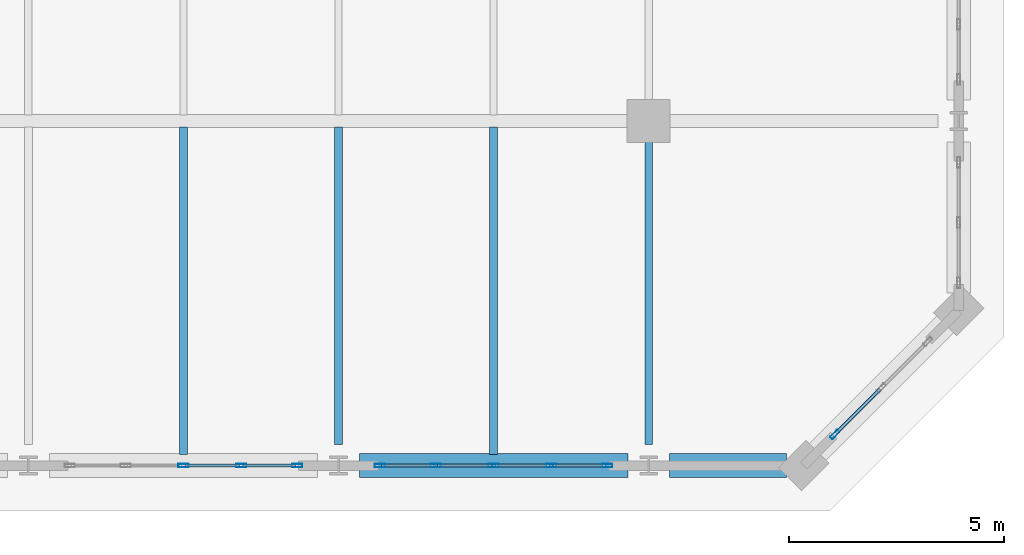
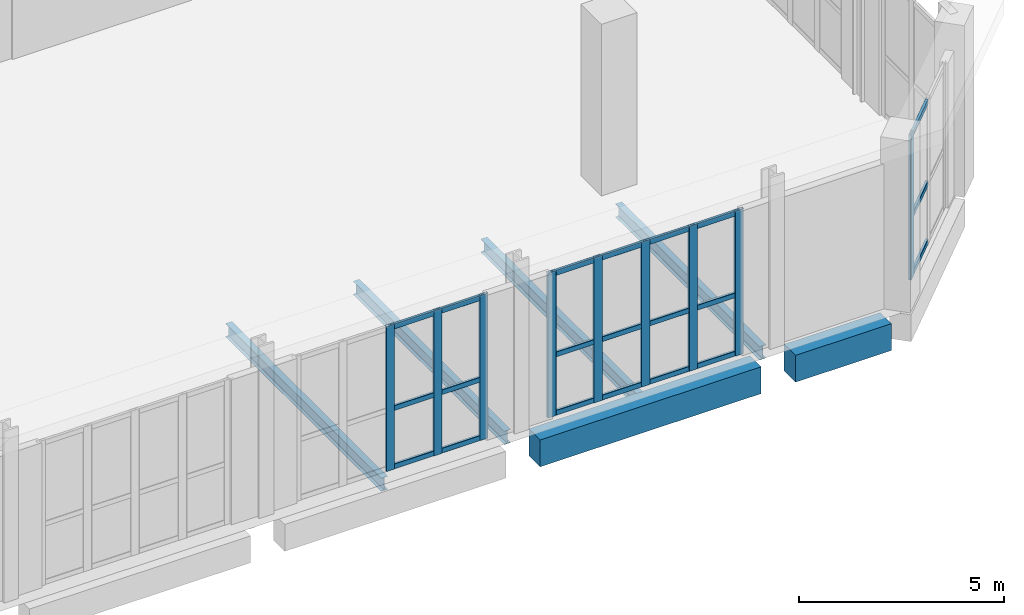
# One storey, part 10 of 26: 30 members, 6 beams, 3 elements without a shape of their own.
"""IFC4 building model written with IfcOpenShell, lengths in metres."""

from ifc_helpers import new_model, si_unit, direction, frame, origin, origin_2d, place, context, subcontext, project, spatial, rectangle, hollow_rectangle, i_section, extrude, material, layer, layer_set, material_profile, profile_set, type_object, element, aggregate, save


model = new_model("IFC4")

# Units and contexts
model_context = context("Model", 3, precision=1e-05, world=origin(), true_north=direction((0.0, 1.0)))
body_context = subcontext(model_context, "Body", "Model", "MODEL_VIEW")
ifc_project = project(units=[si_unit("LENGTHUNIT", "METRE"), si_unit("AREAUNIT", "SQUARE_METRE"), si_unit("VOLUMEUNIT", "CUBIC_METRE"), si_unit("PLANEANGLEUNIT", "RADIAN"), si_unit("MASSUNIT", "GRAM", prefix="KILO")], contexts=[model_context])

# Site, building, storey
site_placement = place(None, origin())
site = spatial("IfcSite", under=ifc_project, at=site_placement, CompositionType="ELEMENT")
building_placement = place(site_placement, origin())
building = spatial("IfcBuilding", under=site, at=building_placement, Name="Kaelvorn Grand Hotel", CompositionType="ELEMENT")
storey_placement = place(building_placement, frame((0.0, 0.0, 294.699951171875)))
storey = spatial("IfcBuildingStorey", under=building, at=storey_placement, Name="L72", CompositionType="ELEMENT", Elevation=294.699951171875)

# Beams
ifc_material_1 = material(Name="Steel S355", Category="steel")
ifc_material_profile_1 = material_profile(ifc_material_1, i_section(OverallWidth=0.179931640625, OverallDepth=0.39990234375, WebThickness=0.008544921875, FlangeThickness=0.013427734375, FilletRadius=0.02099609375, at=origin_2d()), Name="IPE 400")
ifc_profile_set_1 = profile_set([ifc_material_profile_1], Name="Steel S355")
beam_type_1 = type_object("IfcBeamType", Name="BM-J-IPE400-S355", PredefinedType="JOIST", material=ifc_profile_set_1)
beam_1_placement = place(storey_placement, frame((57.0, 7.260009765625, -0.579833984375), z_axis=(0.0, 1.0, 0.0), x_axis=(-1.0, 0.0, 0.0)))
element("IfcBeam", 1, at=beam_1_placement, inside=storey, type_object=beam_type_1, Name="L72 Composite Floor Joist JS-16", PredefinedType="JOIST", context=body_context, shape_type="SweptSolid", body=[
    extrude(i_section(OverallWidth=0.179931640625, OverallDepth=0.39990234375, WebThickness=0.008544921875, FlangeThickness=0.013427734375, FilletRadius=0.02099609375, at=origin_2d()), origin(), (0.0, 0.0, 1.0), 7.60400390625),
])
beam_2_placement = place(storey_placement, frame((60.60009765625, 7.485107421875, -0.579833984375), z_axis=(0.0, 1.0, 0.0), x_axis=(-1.0, 0.0, 0.0)))
element("IfcBeam", 2, at=beam_2_placement, inside=storey, type_object=beam_type_1, Name="L72 Composite Floor Joist JS-17", PredefinedType="JOIST", context=body_context, shape_type="SweptSolid", body=[
    extrude(i_section(OverallWidth=0.179931640625, OverallDepth=0.39990234375, WebThickness=0.008544921875, FlangeThickness=0.013427734375, FilletRadius=0.02099609375, at=origin_2d()), origin(), (0.0, 0.0, 1.0), 7.37890625),
])
beam_3_placement = place(storey_placement, frame((64.199951171875, 7.260009765625, -0.579833984375), z_axis=(0.0, 1.0, 0.0), x_axis=(-1.0, 0.0, 0.0)))
element("IfcBeam", 3, at=beam_3_placement, inside=storey, type_object=beam_type_1, Name="L72 Composite Floor Joist JS-18", PredefinedType="JOIST", context=body_context, shape_type="SweptSolid", body=[
    extrude(i_section(OverallWidth=0.179931640625, OverallDepth=0.39990234375, WebThickness=0.008544921875, FlangeThickness=0.013427734375, FilletRadius=0.02099609375, at=origin_2d()), origin(), (0.0, 0.0, 1.0), 7.60400390625),
])
beam_4_placement = place(storey_placement, frame((67.800048828125, 7.485107421875, -0.579833984375), z_axis=(0.0, 1.0, 0.0), x_axis=(-1.0, 0.0, 0.0)))
element("IfcBeam", 4, at=beam_4_placement, inside=storey, type_object=beam_type_1, Name="L72 Composite Floor Joist JS-19", PredefinedType="JOIST", context=body_context, shape_type="SweptSolid", body=[
    extrude(i_section(OverallWidth=0.179931640625, OverallDepth=0.39990234375, WebThickness=0.008544921875, FlangeThickness=0.013427734375, FilletRadius=0.02099609375, at=origin_2d()), origin(), (0.0, 0.0, 1.0), 7.02978515625),
])
ifc_material_2 = material(Name="Concrete C50/60", Category="concrete")
ifc_material_profile_2 = material_profile(ifc_material_2, rectangle(XDim=0.550048828125, YDim=0.800048828125, at=origin_2d()), Name="RC SPANDREL 550x800")
ifc_profile_set_2 = profile_set([ifc_material_profile_2], Name="Concrete C50/60")
beam_type_2 = type_object("IfcBeamType", Name="BM-SP-550x800-C50", PredefinedType="SPANDREL", material=ifc_profile_set_2)
beam_5_placement = place(storey_placement, frame((61.0849609375, 7.0, -0.780029296875), z_axis=(1.0, 0.0, 0.0), x_axis=(0.0, 1.0, 0.0)))
element("IfcBeam", 5, at=beam_5_placement, inside=storey, type_object=beam_type_2, Name="L72 South Perimeter Spandrel 08", PredefinedType="SPANDREL", context=body_context, shape_type="SweptSolid", body=[
    extrude(rectangle(XDim=0.550048828125, YDim=0.800048828125, at=origin_2d()), origin(), (0.0, 0.0, 1.0), 6.22998046875),
])
beam_6_placement = place(storey_placement, frame((68.284912109375, 7.0, -0.780029296875), z_axis=(1.0, 0.0, 0.0), x_axis=(0.0, 1.0, 0.0)))
element("IfcBeam", 6, at=beam_6_placement, inside=storey, type_object=beam_type_2, Name="L72 South Perimeter Spandrel 09", PredefinedType="SPANDREL", context=body_context, shape_type="SweptSolid", body=[
    extrude(rectangle(XDim=0.550048828125, YDim=0.800048828125, at=origin_2d()), origin(), (0.0, 0.0, 1.0), 2.710205078125),
])

# Curtain wall, members
ifc_material_3 = material(Name="Anodised Aluminium", Category="aluminium")
ifc_layer = layer(ifc_material_3, 0.239990234375)
ifc_layer_set = layer_set([ifc_layer], Name="Anodised Aluminium")
curtain_wall_type = type_object("IfcCurtainWallType", Name="CW-SYS5", PredefinedType="NOTDEFINED", material=ifc_layer_set)
curtain_wall_1_placement = place(storey_placement, origin())
curtain_wall_1 = element("IfcCurtainWall", 7, at=curtain_wall_1_placement, inside=storey, type_object=curtain_wall_type, Name="L72 Unitised Curtain Wall CW5 (CW-L72-S-06)", PredefinedType="NOTDEFINED")
ifc_material_profile_3 = material_profile(ifc_material_3, hollow_rectangle(XDim=0.080078125, YDim=0.239990234375, WallThickness=0.0048828125, InnerFilletRadius=0.0048828125, OuterFilletRadius=0.010009765625, at=origin_2d()), Name="ALU MULL 80x240")
ifc_profile_set_3 = profile_set([ifc_material_profile_3], Name="Anodised Aluminium")
member_type_1 = type_object("IfcMemberType", Name="CW-SYS5-MULL", PredefinedType="MULLION", material=ifc_profile_set_3)
member_1_placement = place(storey_placement, frame((57.0, 7.0, 0.0), z_axis=(0.0, 0.0, 1.0), x_axis=(0.0, 1.0, 0.0)))
member_1 = element("IfcMember", 8, at=member_1_placement, type_object=member_type_1, Name="CW5 mullion 3", PredefinedType="MULLION", context=body_context, shape_type="SweptSolid", body=[
    extrude(hollow_rectangle(XDim=0.080078125, YDim=0.239990234375, WallThickness=0.0048828125, InnerFilletRadius=0.0048828125, OuterFilletRadius=0.010009765625, at=origin_2d()), origin(), (0.0, 0.0, 1.0), 4.320068359375),
])
member_2_placement = place(storey_placement, frame((58.340087890625, 7.0, 0.0), z_axis=(0.0, 0.0, 1.0), x_axis=(0.0, 1.0, 0.0)))
member_2 = element("IfcMember", 9, at=member_2_placement, type_object=member_type_1, Name="CW5 mullion 4", PredefinedType="MULLION", context=body_context, shape_type="SweptSolid", body=[
    extrude(hollow_rectangle(XDim=0.080078125, YDim=0.239990234375, WallThickness=0.0048828125, InnerFilletRadius=0.0048828125, OuterFilletRadius=0.010009765625, at=origin_2d()), origin(), (0.0, 0.0, 1.0), 4.320068359375),
])
member_3_placement = place(storey_placement, frame((59.639892578125, 7.0, 0.0), z_axis=(0.0, 0.0, 1.0), x_axis=(0.0, 1.0, 0.0)))
member_3 = element("IfcMember", 10, at=member_3_placement, type_object=member_type_1, Name="CW5 mullion 5", PredefinedType="MULLION", context=body_context, shape_type="SweptSolid", body=[
    extrude(hollow_rectangle(XDim=0.080078125, YDim=0.239990234375, WallThickness=0.0048828125, InnerFilletRadius=0.0048828125, OuterFilletRadius=0.010009765625, at=origin_2d()), origin(), (0.0, 0.0, 1.0), 4.320068359375),
])

curtain_wall_2_placement = place(storey_placement, origin())
curtain_wall_2 = element("IfcCurtainWall", 11, at=curtain_wall_2_placement, inside=storey, type_object=curtain_wall_type, Name="L72 Unitised Curtain Wall CW5 (CW-L72-S-07)", PredefinedType="NOTDEFINED")
member_4_placement = place(storey_placement, frame((61.56005859375, 7.0, 0.0), z_axis=(0.0, 0.0, 1.0), x_axis=(0.0, 1.0, 0.0)))
member_4 = element("IfcMember", 12, at=member_4_placement, type_object=member_type_1, Name="CW5 mullion 1", PredefinedType="MULLION", context=body_context, shape_type="SweptSolid", body=[
    extrude(hollow_rectangle(XDim=0.080078125, YDim=0.239990234375, WallThickness=0.0048828125, InnerFilletRadius=0.0048828125, OuterFilletRadius=0.010009765625, at=origin_2d()), origin(), (0.0, 0.0, 1.0), 4.320068359375),
])
member_5_placement = place(storey_placement, frame((62.860107421875, 7.0, 0.0), z_axis=(0.0, 0.0, 1.0), x_axis=(0.0, 1.0, 0.0)))
member_5 = element("IfcMember", 13, at=member_5_placement, type_object=member_type_1, Name="CW5 mullion 2", PredefinedType="MULLION", context=body_context, shape_type="SweptSolid", body=[
    extrude(hollow_rectangle(XDim=0.080078125, YDim=0.239990234375, WallThickness=0.0048828125, InnerFilletRadius=0.0048828125, OuterFilletRadius=0.010009765625, at=origin_2d()), origin(), (0.0, 0.0, 1.0), 4.320068359375),
])
member_6_placement = place(storey_placement, frame((64.199951171875, 7.0, 0.0), z_axis=(0.0, 0.0, 1.0), x_axis=(0.0, 1.0, 0.0)))
member_6 = element("IfcMember", 14, at=member_6_placement, type_object=member_type_1, Name="CW5 mullion 3", PredefinedType="MULLION", context=body_context, shape_type="SweptSolid", body=[
    extrude(hollow_rectangle(XDim=0.080078125, YDim=0.239990234375, WallThickness=0.0048828125, InnerFilletRadius=0.0048828125, OuterFilletRadius=0.010009765625, at=origin_2d()), origin(), (0.0, 0.0, 1.0), 4.320068359375),
])
member_7_placement = place(storey_placement, frame((65.5400390625, 7.0, 0.0), z_axis=(0.0, 0.0, 1.0), x_axis=(0.0, 1.0, 0.0)))
member_7 = element("IfcMember", 15, at=member_7_placement, type_object=member_type_1, Name="CW5 mullion 4", PredefinedType="MULLION", context=body_context, shape_type="SweptSolid", body=[
    extrude(hollow_rectangle(XDim=0.080078125, YDim=0.239990234375, WallThickness=0.0048828125, InnerFilletRadius=0.0048828125, OuterFilletRadius=0.010009765625, at=origin_2d()), origin(), (0.0, 0.0, 1.0), 4.320068359375),
])
member_8_placement = place(storey_placement, frame((66.840087890625, 7.0, 0.0), z_axis=(0.0, 0.0, 1.0), x_axis=(0.0, 1.0, 0.0)))
member_8 = element("IfcMember", 16, at=member_8_placement, type_object=member_type_1, Name="CW5 mullion 5", PredefinedType="MULLION", context=body_context, shape_type="SweptSolid", body=[
    extrude(hollow_rectangle(XDim=0.080078125, YDim=0.239990234375, WallThickness=0.0048828125, InnerFilletRadius=0.0048828125, OuterFilletRadius=0.010009765625, at=origin_2d()), origin(), (0.0, 0.0, 1.0), 4.320068359375),
])

# Curtain wall, member
curtain_wall_3_placement = place(storey_placement, origin())
curtain_wall_3 = element("IfcCurtainWall", 17, at=curtain_wall_3_placement, inside=storey, type_object=curtain_wall_type, Name="L72 Unitised Curtain Wall CW5 (CW-L72-SE)", PredefinedType="NOTDEFINED")
member_9_placement = place(storey_placement, frame((72.121337890625, 7.72119140625, 0.0), z_axis=(0.0, 0.0, 1.0), x_axis=(-0.707106781187, 0.707106781187, 0.0)))
member_9 = element("IfcMember", 18, at=member_9_placement, type_object=member_type_1, Name="CW5 mullion 1", PredefinedType="MULLION", context=body_context, shape_type="SweptSolid", body=[
    extrude(hollow_rectangle(XDim=0.080078125, YDim=0.239990234375, WallThickness=0.0048828125, InnerFilletRadius=0.0048828125, OuterFilletRadius=0.010009765625, at=origin_2d()), origin(), (0.0, 0.0, 1.0), 4.320068359375),
])

# Member
ifc_material_profile_4 = material_profile(ifc_material_3, hollow_rectangle(XDim=0.074951171875, YDim=0.14990234375, WallThickness=0.00390625, InnerFilletRadius=0.00390625, OuterFilletRadius=0.008056640625, at=origin_2d()), Name="ALU TRAN 75x150")
ifc_profile_set_4 = profile_set([ifc_material_profile_4], Name="Anodised Aluminium")
member_type_2 = type_object("IfcMemberType", Name="CW-SYS5-TRAN", PredefinedType="NOTDEFINED", material=ifc_profile_set_4)
member_10_placement = place(storey_placement, frame((57.0400390625, 7.0, 0.074951171875), z_axis=(1.0, 0.0, 0.0), x_axis=(0.0, 1.0, 0.0)))
member_10 = element("IfcMember", 19, at=member_10_placement, type_object=member_type_2, Name="CW5 transom 3.1", ObjectType="TRANSOM", PredefinedType="USERDEFINED", context=body_context, shape_type="SweptSolid", body=[
    extrude(hollow_rectangle(XDim=0.074951171875, YDim=0.14990234375, WallThickness=0.00390625, InnerFilletRadius=0.00390625, OuterFilletRadius=0.008056640625, at=origin_2d()), origin(), (0.0, 0.0, 1.0), 1.260009765625),
])

member_11_placement = place(storey_placement, frame((57.0400390625, 7.0, 1.814453125), z_axis=(1.0, 0.0, 0.0), x_axis=(0.0, 1.0, 0.0)))
member_11 = element("IfcMember", 20, at=member_11_placement, type_object=member_type_2, Name="CW5 transom 3.2", ObjectType="TRANSOM", PredefinedType="USERDEFINED", context=body_context, shape_type="SweptSolid", body=[
    extrude(hollow_rectangle(XDim=0.074951171875, YDim=0.14990234375, WallThickness=0.00390625, InnerFilletRadius=0.00390625, OuterFilletRadius=0.008056640625, at=origin_2d()), origin(), (0.0, 0.0, 1.0), 1.260009765625),
])

member_12_placement = place(storey_placement, frame((57.0400390625, 7.0, 4.2451171875), z_axis=(1.0, 0.0, 0.0), x_axis=(0.0, 1.0, 0.0)))
member_12 = element("IfcMember", 21, at=member_12_placement, type_object=member_type_2, Name="CW5 transom 3.3", ObjectType="TRANSOM", PredefinedType="USERDEFINED", context=body_context, shape_type="SweptSolid", body=[
    extrude(hollow_rectangle(XDim=0.074951171875, YDim=0.14990234375, WallThickness=0.00390625, InnerFilletRadius=0.00390625, OuterFilletRadius=0.008056640625, at=origin_2d()), origin(), (0.0, 0.0, 1.0), 1.260009765625),
])

member_13_placement = place(storey_placement, frame((58.3798828125, 7.0, 0.074951171875), z_axis=(1.0, 0.0, 0.0), x_axis=(0.0, 1.0, 0.0)))
member_13 = element("IfcMember", 22, at=member_13_placement, type_object=member_type_2, Name="CW5 transom 4.1", ObjectType="TRANSOM", PredefinedType="USERDEFINED", context=body_context, shape_type="SweptSolid", body=[
    extrude(hollow_rectangle(XDim=0.074951171875, YDim=0.14990234375, WallThickness=0.00390625, InnerFilletRadius=0.00390625, OuterFilletRadius=0.008056640625, at=origin_2d()), origin(), (0.0, 0.0, 1.0), 1.22021484375),
])

member_14_placement = place(storey_placement, frame((58.3798828125, 7.0, 1.814453125), z_axis=(1.0, 0.0, 0.0), x_axis=(0.0, 1.0, 0.0)))
member_14 = element("IfcMember", 23, at=member_14_placement, type_object=member_type_2, Name="CW5 transom 4.2", ObjectType="TRANSOM", PredefinedType="USERDEFINED", context=body_context, shape_type="SweptSolid", body=[
    extrude(hollow_rectangle(XDim=0.074951171875, YDim=0.14990234375, WallThickness=0.00390625, InnerFilletRadius=0.00390625, OuterFilletRadius=0.008056640625, at=origin_2d()), origin(), (0.0, 0.0, 1.0), 1.22021484375),
])

member_15_placement = place(storey_placement, frame((58.3798828125, 7.0, 4.2451171875), z_axis=(1.0, 0.0, 0.0), x_axis=(0.0, 1.0, 0.0)))
member_15 = element("IfcMember", 24, at=member_15_placement, type_object=member_type_2, Name="CW5 transom 4.3", ObjectType="TRANSOM", PredefinedType="USERDEFINED", context=body_context, shape_type="SweptSolid", body=[
    extrude(hollow_rectangle(XDim=0.074951171875, YDim=0.14990234375, WallThickness=0.00390625, InnerFilletRadius=0.00390625, OuterFilletRadius=0.008056640625, at=origin_2d()), origin(), (0.0, 0.0, 1.0), 1.22021484375),
])

aggregate(curtain_wall_1, [member_1, member_2, member_3, member_10, member_11, member_12, member_13, member_14, member_15])

member_16_placement = place(storey_placement, frame((61.60009765625, 7.0, 0.074951171875), z_axis=(1.0, 0.0, 0.0), x_axis=(0.0, 1.0, 0.0)))
member_16 = element("IfcMember", 25, at=member_16_placement, type_object=member_type_2, Name="CW5 transom 1.1", ObjectType="TRANSOM", PredefinedType="USERDEFINED", context=body_context, shape_type="SweptSolid", body=[
    extrude(hollow_rectangle(XDim=0.074951171875, YDim=0.14990234375, WallThickness=0.00390625, InnerFilletRadius=0.00390625, OuterFilletRadius=0.008056640625, at=origin_2d()), origin(), (0.0, 0.0, 1.0), 1.219970703125),
])

member_17_placement = place(storey_placement, frame((61.60009765625, 7.0, 1.814453125), z_axis=(1.0, 0.0, 0.0), x_axis=(0.0, 1.0, 0.0)))
member_17 = element("IfcMember", 26, at=member_17_placement, type_object=member_type_2, Name="CW5 transom 1.2", ObjectType="TRANSOM", PredefinedType="USERDEFINED", context=body_context, shape_type="SweptSolid", body=[
    extrude(hollow_rectangle(XDim=0.074951171875, YDim=0.14990234375, WallThickness=0.00390625, InnerFilletRadius=0.00390625, OuterFilletRadius=0.008056640625, at=origin_2d()), origin(), (0.0, 0.0, 1.0), 1.219970703125),
])

member_18_placement = place(storey_placement, frame((61.60009765625, 7.0, 4.2451171875), z_axis=(1.0, 0.0, 0.0), x_axis=(0.0, 1.0, 0.0)))
member_18 = element("IfcMember", 27, at=member_18_placement, type_object=member_type_2, Name="CW5 transom 1.3", ObjectType="TRANSOM", PredefinedType="USERDEFINED", context=body_context, shape_type="SweptSolid", body=[
    extrude(hollow_rectangle(XDim=0.074951171875, YDim=0.14990234375, WallThickness=0.00390625, InnerFilletRadius=0.00390625, OuterFilletRadius=0.008056640625, at=origin_2d()), origin(), (0.0, 0.0, 1.0), 1.219970703125),
])

member_19_placement = place(storey_placement, frame((62.89990234375, 7.0, 0.074951171875), z_axis=(1.0, 0.0, 0.0), x_axis=(0.0, 1.0, 0.0)))
member_19 = element("IfcMember", 28, at=member_19_placement, type_object=member_type_2, Name="CW5 transom 2.1", ObjectType="TRANSOM", PredefinedType="USERDEFINED", context=body_context, shape_type="SweptSolid", body=[
    extrude(hollow_rectangle(XDim=0.074951171875, YDim=0.14990234375, WallThickness=0.00390625, InnerFilletRadius=0.00390625, OuterFilletRadius=0.008056640625, at=origin_2d()), origin(), (0.0, 0.0, 1.0), 1.260009765625),
])

member_20_placement = place(storey_placement, frame((62.89990234375, 7.0, 1.814453125), z_axis=(1.0, 0.0, 0.0), x_axis=(0.0, 1.0, 0.0)))
member_20 = element("IfcMember", 29, at=member_20_placement, type_object=member_type_2, Name="CW5 transom 2.2", ObjectType="TRANSOM", PredefinedType="USERDEFINED", context=body_context, shape_type="SweptSolid", body=[
    extrude(hollow_rectangle(XDim=0.074951171875, YDim=0.14990234375, WallThickness=0.00390625, InnerFilletRadius=0.00390625, OuterFilletRadius=0.008056640625, at=origin_2d()), origin(), (0.0, 0.0, 1.0), 1.260009765625),
])

member_21_placement = place(storey_placement, frame((62.89990234375, 7.0, 4.2451171875), z_axis=(1.0, 0.0, 0.0), x_axis=(0.0, 1.0, 0.0)))
member_21 = element("IfcMember", 30, at=member_21_placement, type_object=member_type_2, Name="CW5 transom 2.3", ObjectType="TRANSOM", PredefinedType="USERDEFINED", context=body_context, shape_type="SweptSolid", body=[
    extrude(hollow_rectangle(XDim=0.074951171875, YDim=0.14990234375, WallThickness=0.00390625, InnerFilletRadius=0.00390625, OuterFilletRadius=0.008056640625, at=origin_2d()), origin(), (0.0, 0.0, 1.0), 1.260009765625),
])

member_22_placement = place(storey_placement, frame((64.239990234375, 7.0, 0.074951171875), z_axis=(1.0, 0.0, 0.0), x_axis=(0.0, 1.0, 0.0)))
member_22 = element("IfcMember", 31, at=member_22_placement, type_object=member_type_2, Name="CW5 transom 3.1", ObjectType="TRANSOM", PredefinedType="USERDEFINED", context=body_context, shape_type="SweptSolid", body=[
    extrude(hollow_rectangle(XDim=0.074951171875, YDim=0.14990234375, WallThickness=0.00390625, InnerFilletRadius=0.00390625, OuterFilletRadius=0.008056640625, at=origin_2d()), origin(), (0.0, 0.0, 1.0), 1.260009765625),
])

member_23_placement = place(storey_placement, frame((64.239990234375, 7.0, 1.814453125), z_axis=(1.0, 0.0, 0.0), x_axis=(0.0, 1.0, 0.0)))
member_23 = element("IfcMember", 32, at=member_23_placement, type_object=member_type_2, Name="CW5 transom 3.2", ObjectType="TRANSOM", PredefinedType="USERDEFINED", context=body_context, shape_type="SweptSolid", body=[
    extrude(hollow_rectangle(XDim=0.074951171875, YDim=0.14990234375, WallThickness=0.00390625, InnerFilletRadius=0.00390625, OuterFilletRadius=0.008056640625, at=origin_2d()), origin(), (0.0, 0.0, 1.0), 1.260009765625),
])

member_24_placement = place(storey_placement, frame((64.239990234375, 7.0, 4.2451171875), z_axis=(1.0, 0.0, 0.0), x_axis=(0.0, 1.0, 0.0)))
member_24 = element("IfcMember", 33, at=member_24_placement, type_object=member_type_2, Name="CW5 transom 3.3", ObjectType="TRANSOM", PredefinedType="USERDEFINED", context=body_context, shape_type="SweptSolid", body=[
    extrude(hollow_rectangle(XDim=0.074951171875, YDim=0.14990234375, WallThickness=0.00390625, InnerFilletRadius=0.00390625, OuterFilletRadius=0.008056640625, at=origin_2d()), origin(), (0.0, 0.0, 1.0), 1.260009765625),
])

member_25_placement = place(storey_placement, frame((65.580078125, 7.0, 0.074951171875), z_axis=(1.0, 0.0, 0.0), x_axis=(0.0, 1.0, 0.0)))
member_25 = element("IfcMember", 34, at=member_25_placement, type_object=member_type_2, Name="CW5 transom 4.1", ObjectType="TRANSOM", PredefinedType="USERDEFINED", context=body_context, shape_type="SweptSolid", body=[
    extrude(hollow_rectangle(XDim=0.074951171875, YDim=0.14990234375, WallThickness=0.00390625, InnerFilletRadius=0.00390625, OuterFilletRadius=0.008056640625, at=origin_2d()), origin(), (0.0, 0.0, 1.0), 1.219970703125),
])

member_26_placement = place(storey_placement, frame((65.580078125, 7.0, 1.814453125), z_axis=(1.0, 0.0, 0.0), x_axis=(0.0, 1.0, 0.0)))
member_26 = element("IfcMember", 35, at=member_26_placement, type_object=member_type_2, Name="CW5 transom 4.2", ObjectType="TRANSOM", PredefinedType="USERDEFINED", context=body_context, shape_type="SweptSolid", body=[
    extrude(hollow_rectangle(XDim=0.074951171875, YDim=0.14990234375, WallThickness=0.00390625, InnerFilletRadius=0.00390625, OuterFilletRadius=0.008056640625, at=origin_2d()), origin(), (0.0, 0.0, 1.0), 1.219970703125),
])

member_27_placement = place(storey_placement, frame((65.580078125, 7.0, 4.2451171875), z_axis=(1.0, 0.0, 0.0), x_axis=(0.0, 1.0, 0.0)))
member_27 = element("IfcMember", 36, at=member_27_placement, type_object=member_type_2, Name="CW5 transom 4.3", ObjectType="TRANSOM", PredefinedType="USERDEFINED", context=body_context, shape_type="SweptSolid", body=[
    extrude(hollow_rectangle(XDim=0.074951171875, YDim=0.14990234375, WallThickness=0.00390625, InnerFilletRadius=0.00390625, OuterFilletRadius=0.008056640625, at=origin_2d()), origin(), (0.0, 0.0, 1.0), 1.219970703125),
])

aggregate(curtain_wall_2, [member_4, member_5, member_6, member_7, member_8, member_16, member_17, member_18, member_19, member_20, member_21, member_22, member_23, member_24, member_25, member_26, member_27])

member_28_placement = place(storey_placement, frame((72.1494140625, 7.74951171875, 0.074951171875), z_axis=(0.707106781187, 0.707106781187, 0.0), x_axis=(-0.707106781187, 0.707106781187, 0.0)))
member_28 = element("IfcMember", 37, at=member_28_placement, type_object=member_type_2, Name="CW5 transom 1.1", ObjectType="TRANSOM", PredefinedType="USERDEFINED", context=body_context, shape_type="SweptSolid", body=[
    extrude(hollow_rectangle(XDim=0.074951171875, YDim=0.14990234375, WallThickness=0.00390625, InnerFilletRadius=0.00390625, OuterFilletRadius=0.008056640625, at=origin_2d()), origin(), (0.0, 0.0, 1.0), 1.445556640625),
])

member_29_placement = place(storey_placement, frame((72.1494140625, 7.74951171875, 1.814453125), z_axis=(0.707106781187, 0.707106781187, 0.0), x_axis=(-0.707106781187, 0.707106781187, 0.0)))
member_29 = element("IfcMember", 38, at=member_29_placement, type_object=member_type_2, Name="CW5 transom 1.2", ObjectType="TRANSOM", PredefinedType="USERDEFINED", context=body_context, shape_type="SweptSolid", body=[
    extrude(hollow_rectangle(XDim=0.074951171875, YDim=0.14990234375, WallThickness=0.00390625, InnerFilletRadius=0.00390625, OuterFilletRadius=0.008056640625, at=origin_2d()), origin(), (0.0, 0.0, 1.0), 1.445556640625),
])

member_30_placement = place(storey_placement, frame((72.1494140625, 7.74951171875, 4.2451171875), z_axis=(0.707106781187, 0.707106781187, 0.0), x_axis=(-0.707106781187, 0.707106781187, 0.0)))
member_30 = element("IfcMember", 39, at=member_30_placement, type_object=member_type_2, Name="CW5 transom 1.3", ObjectType="TRANSOM", PredefinedType="USERDEFINED", context=body_context, shape_type="SweptSolid", body=[
    extrude(hollow_rectangle(XDim=0.074951171875, YDim=0.14990234375, WallThickness=0.00390625, InnerFilletRadius=0.00390625, OuterFilletRadius=0.008056640625, at=origin_2d()), origin(), (0.0, 0.0, 1.0), 1.445556640625),
])

aggregate(curtain_wall_3, [member_9, member_28, member_29, member_30])

save(model, "model.ifc")
